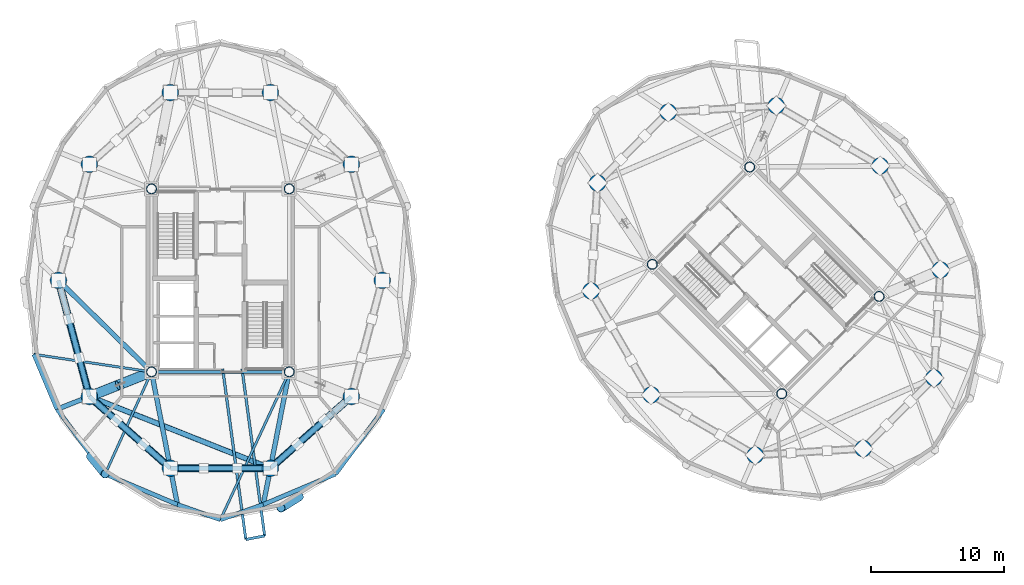
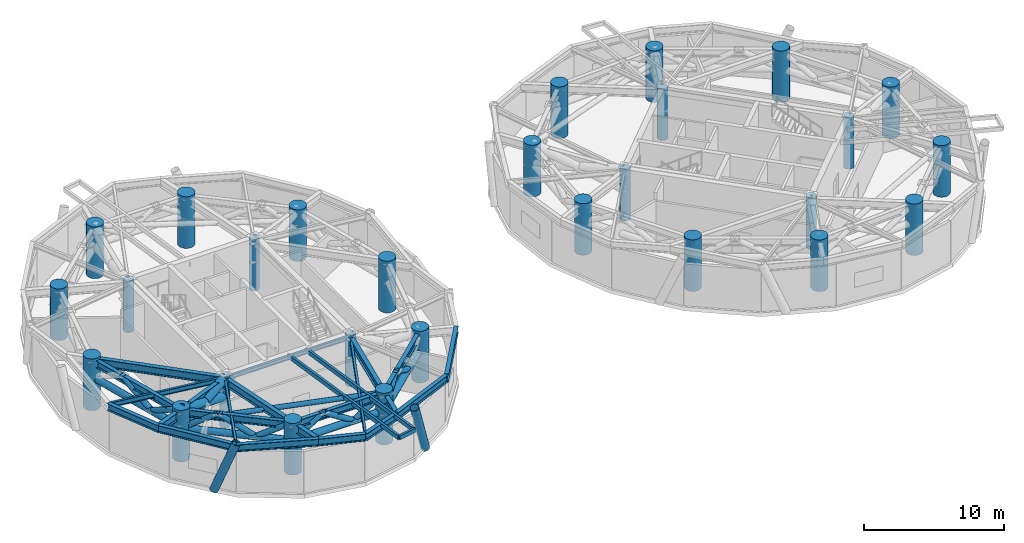
# One storey, part 1 of 16: 28 columns, 22 beams, 20 members.
"""IFC4 building model written with IfcOpenShell, lengths in metres."""

from ifc_helpers import new_model, si_unit, direction, frame, origin, origin_2d, place, context, subcontext, project, spatial, hollow_rectangle, circle, hollow_circle, i_section, extrude, material, material_profile, profile_set, type_object, element, save


model = new_model("IFC4")

# Units and contexts
model_context = context("Model", 3, precision=1e-05, world=origin(), true_north=direction((0.0, 1.0)))
body_context = subcontext(model_context, "Body", "Model", "MODEL_VIEW")
ifc_project = project(units=[si_unit("LENGTHUNIT", "METRE"), si_unit("AREAUNIT", "SQUARE_METRE"), si_unit("VOLUMEUNIT", "CUBIC_METRE"), si_unit("PLANEANGLEUNIT", "RADIAN"), si_unit("MASSUNIT", "GRAM", prefix="KILO")], contexts=[model_context])

# Site, building, storey
site_placement = place(None, origin())
site = spatial("IfcSite", under=ifc_project, at=site_placement, CompositionType="ELEMENT")
building_placement = place(site_placement, origin())
building = spatial("IfcBuilding", under=site, at=building_placement, Name="Cununo Teusaquillo Station Towers", CompositionType="ELEMENT")
storey_placement = place(building_placement, frame((0.0, 0.0, 147.10009765625)))
storey = spatial("IfcBuildingStorey", under=building, at=storey_placement, Name="L46", CompositionType="ELEMENT", Elevation=147.10009765625)

# Columns
ifc_material_1 = material(Name="Steel EN 10025-2 S355J2", Category="steel")
ifc_material_profile_1 = material_profile(ifc_material_1, hollow_circle(Radius=0.3798828125, WallThickness=0.031982421875, at=origin_2d()), Name="CHS 760x32")
ifc_profile_set_1 = profile_set([ifc_material_profile_1], Name="Steel EN 10025-2 S355J2")
column_type_1 = type_object("IfcColumnType", Name="COL-CORE-Z2", PredefinedType="COLUMN", material=ifc_profile_set_1)
for number, where, z_axis, x_axis, name in (
    (1, (11.324951171875, 17.6201171875, 0.0), (0.0, 0.0, 1.0), (1.0, 0.0, 0.0), "L46 Tower A Core Column 1"),
    (2, (11.324951171875, 31.3798828125, 0.0), (0.0, 0.0, 1.0), (1.0, 0.0, 0.0), "L46 Tower A Core Column 2"),
    (3, (21.675048828125, 17.6201171875, 0.0), (0.0, 0.0, 1.0), (1.0, 0.0, 0.0), "L46 Tower A Core Column 3"),
    (4, (21.675048828125, 31.3798828125, 0.0), (0.0, 0.0, 1.0), (1.0, 0.0, 0.0), "L46 Tower A Core Column 4"),
    (5, (58.70556640625, 15.975830078125, 0.0), (0.0, 0.0, 1.0), (0.707106781187, 0.707106781187, 0.0), "L46 Tower B Core Column 1"),
    (6, (48.975830078125, 25.70556640625, 0.0), (0.0, 0.0, 1.0), (0.707106781187, 0.707106781187, 0.0), "L46 Tower B Core Column 2"),
    (7, (66.024169921875, 23.29443359375, 0.0), (0.0, 0.0, 1.0), (0.707106781187, 0.707106781187, 0.0), "L46 Tower B Core Column 3"),
    (8, (56.29443359375, 33.024169921875, 0.0), (0.0, 0.0, 1.0), (0.707106781187, 0.707106781187, 0.0), "L46 Tower B Core Column 4"),
):
    element("IfcColumn", number, at=place(storey_placement, frame(where, z_axis=z_axis, x_axis=x_axis)), inside=storey, type_object=column_type_1, Name=name, PredefinedType="COLUMN", context=body_context, shape_type="SweptSolid", body=[
        extrude(hollow_circle(Radius=0.3798828125, WallThickness=0.031982421875, at=origin_2d()), origin(), (0.0, 0.0, 1.0), 4.5),
    ])
ifc_material_2 = material(Name="Concrete C60/75", Category="concrete")
ifc_material_profile_2 = material_profile(ifc_material_2, circle(Radius=0.625, at=origin_2d()), Name="RC-CIRC-1250")
ifc_profile_set_2 = profile_set([ifc_material_profile_2], Name="Concrete C60/75")
column_type_2 = type_object("IfcColumnType", Name="COL-MEGA-Z3", PredefinedType="USERDEFINED", material=ifc_profile_set_2)
for number, where, z_axis, x_axis, name in (
    (9, (28.672119140625, 24.5, 0.0), (0.0, 0.0, 1.0), (1.0, 0.0, 0.0), "L46 Tower A Perimeter Column V00"),
    (10, (26.347412109375, 33.228515625, 0.0), (0.0, 0.0, 1.0), (1.0, 0.0, 0.0), "L46 Tower A Perimeter Column V02"),
    (11, (20.261474609375, 38.623291015625, 0.0), (0.0, 0.0, 1.0), (1.0, 0.0, 0.0), "L46 Tower A Perimeter Column V04"),
    (12, (12.738525390625, 38.623291015625, 0.0), (0.0, 0.0, 1.0), (1.0, 0.0, 0.0), "L46 Tower A Perimeter Column V06"),
    (13, (6.652587890625, 33.228515625, 0.0), (0.0, 0.0, 1.0), (1.0, 0.0, 0.0), "L46 Tower A Perimeter Column V08"),
    (14, (4.327880859375, 24.5, 0.0), (0.0, 0.0, 1.0), (1.0, 0.0, 0.0), "L46 Tower A Perimeter Column V10"),
    (15, (6.652587890625, 15.771484375, 0.0), (0.0, 0.0, 1.0), (1.0, 0.0, 0.0), "L46 Tower A Perimeter Column V12"),
    (16, (12.738525390625, 10.376708984375, 0.0), (0.0, 0.0, 1.0), (1.0, 0.0, 0.0), "L46 Tower A Perimeter Column V14"),
    (17, (20.261474609375, 10.376708984375, 0.0), (0.0, 0.0, 1.0), (1.0, 0.0, 0.0), "L46 Tower A Perimeter Column V16"),
    (18, (26.347412109375, 15.771484375, 0.0), (0.0, 0.0, 1.0), (1.0, 0.0, 0.0), "L46 Tower A Perimeter Column V18"),
    (19, (66.10693359375, 33.10693359375, 0.0), (0.0, 0.0, 1.0), (1.0, 0.0, 0.0), "L46 Tower B Perimeter Column V00"),
    (20, (58.291015625, 37.63525390625, 0.0), (0.0, 0.0, 1.0), (1.0, 0.0, 0.0), "L46 Tower B Perimeter Column V02"),
    (21, (50.173095703125, 37.146240234375, 0.0), (0.0, 0.0, 1.0), (1.0, 0.0, 0.0), "L46 Tower B Perimeter Column V04"),
    (22, (44.853759765625, 31.826904296875, 0.0), (0.0, 0.0, 1.0), (1.0, 0.0, 0.0), "L46 Tower B Perimeter Column V06"),
    (23, (44.36474609375, 23.708984375, 0.0), (0.0, 0.0, 1.0), (1.0, 0.0, 0.0), "L46 Tower B Perimeter Column V08"),
    (24, (48.89306640625, 15.89306640625, 0.0), (0.0, 0.0, 1.0), (1.0, 0.0, 0.0), "L46 Tower B Perimeter Column V10"),
    (25, (56.708984375, 11.36474609375, 0.0), (0.0, 0.0, 1.0), (1.0, 0.0, 0.0), "L46 Tower B Perimeter Column V12"),
    (26, (64.826904296875, 11.853759765625, 0.0), (0.0, 0.0, 1.0), (1.0, 0.0, 0.0), "L46 Tower B Perimeter Column V14"),
    (27, (70.146240234375, 17.173095703125, 0.0), (0.0, 0.0, 1.0), (1.0, 0.0, 0.0), "L46 Tower B Perimeter Column V16"),
    (28, (70.63525390625, 25.291015625, 0.0), (0.0, 0.0, 1.0), (1.0, 0.0, 0.0), "L46 Tower B Perimeter Column V18"),
):
    element("IfcColumn", number, at=place(storey_placement, frame(where, z_axis=z_axis, x_axis=x_axis)), inside=storey, type_object=column_type_2, Name=name, ObjectType="MEGA COLUMN", PredefinedType="USERDEFINED", context=body_context, shape_type="SweptSolid", body=[
        extrude(circle(Radius=0.625, at=origin_2d()), origin(), (0.0, 0.0, 1.0), 4.5),
    ])

# Beams
ifc_material_3 = material(Name="Steel EN 10025-2 S355J2", Category="steel")
ifc_material_profile_3 = material_profile(ifc_material_3, hollow_rectangle(XDim=0.199951171875, YDim=0.35009765625, WallThickness=0.013916015625, at=origin_2d()), Name="RHS 350x200x14")
ifc_profile_set_3 = profile_set([ifc_material_profile_3], Name="Steel EN 10025-2 S355J2")
beam_type_1 = type_object("IfcBeamType", Name="BM-BAL-CANT", PredefinedType="BEAM", material=ifc_profile_set_3)
beam_1_placement = place(storey_placement, frame((16.674560546875, 17.85009765625, 4.10498046875), z_axis=(0.13427925042, -0.990943531644, 0.0), x_axis=(0.990943531644, 0.13427925042, 0.0)))
element("IfcBeam", 29, at=beam_1_placement, inside=storey, type_object=beam_type_1, Name="L46 Tower A Balcony Cantilever Bracket 2A", PredefinedType="BEAM", context=body_context, shape_type="SweptSolid", body=[
    extrude(hollow_rectangle(XDim=0.199951171875, YDim=0.35009765625, WallThickness=0.013916015625, at=origin_2d()), origin(), (0.0, 0.0, 1.0), 12.947021484375),
])
beam_2_placement = place(storey_placement, frame((18.127685546875, 17.85009765625, 4.10498046875), z_axis=(0.134274846508, -0.990944128392, 0.0), x_axis=(0.990944128392, 0.134274846508, 0.0)))
element("IfcBeam", 30, at=beam_2_placement, inside=storey, type_object=beam_type_1, Name="L46 Tower A Balcony Cantilever Bracket 2B", PredefinedType="BEAM", context=body_context, shape_type="SweptSolid", body=[
    extrude(hollow_rectangle(XDim=0.199951171875, YDim=0.35009765625, WallThickness=0.013916015625, at=origin_2d()), origin(), (0.0, 0.0, 1.0), 12.671142578125),
])
ifc_material_4 = material(Name="Steel ASTM A572 Grade 50", Category="steel")
ifc_material_profile_4 = material_profile(ifc_material_4, i_section(OverallWidth=0.180908203125, OverallDepth=0.4169921875, WebThickness=0.010986328125, FlangeThickness=0.018310546875, FilletRadius=0.012939453125, at=origin_2d()), Name="W16X57")
ifc_profile_set_4 = profile_set([ifc_material_profile_4], Name="Steel ASTM A572 Grade 50")
beam_type_2 = type_object("IfcBeamType", Name="BM-JOIST-1", PredefinedType="JOIST", material=ifc_profile_set_4)
beam_3_placement = place(storey_placement, frame((11.324951171875, 17.6201171875, 4.0712890625), z_axis=(-0.989018754675, 0.147790063606, 0.0), x_axis=(-0.147790063606, -0.989018754675, 0.0)))
element("IfcBeam", 31, at=beam_3_placement, inside=storey, type_object=beam_type_2, Name="L46 Tower A Radial Spandrel Joist V11", PredefinedType="JOIST", context=body_context, shape_type="SweptSolid", body=[
    extrude(i_section(OverallWidth=0.180908203125, OverallDepth=0.4169921875, WebThickness=0.010986328125, FlangeThickness=0.018310546875, FilletRadius=0.012939453125, at=origin_2d()), origin(), (0.0, 0.0, 1.0), 8.93701171875),
])
beam_4_placement = place(storey_placement, frame((11.324951171875, 17.6201171875, 4.0712890625), z_axis=(-0.413558514621, -0.910477542274, 0.0), x_axis=(0.910477542274, -0.413558514621, 0.0)))
element("IfcBeam", 32, at=beam_4_placement, inside=storey, type_object=beam_type_2, Name="L46 Tower A Radial Spandrel Joist V13", PredefinedType="JOIST", context=body_context, shape_type="SweptSolid", body=[
    extrude(i_section(OverallWidth=0.180908203125, OverallDepth=0.4169921875, WebThickness=0.010986328125, FlangeThickness=0.018310546875, FilletRadius=0.012939453125, at=origin_2d()), origin(), (0.0, 0.0, 1.0), 8.428955078125),
])
beam_5_placement = place(storey_placement, frame((21.675048828125, 17.6201171875, 4.0712890625), z_axis=(-0.422237603969, -0.906485193368, 0.0), x_axis=(0.906485193368, -0.422237603969, 0.0)))
element("IfcBeam", 33, at=beam_5_placement, inside=storey, type_object=beam_type_2, Name="L46 Tower A Radial Spandrel Joist V15", PredefinedType="JOIST", context=body_context, shape_type="SweptSolid", body=[
    extrude(i_section(OverallWidth=0.180908203125, OverallDepth=0.4169921875, WebThickness=0.010986328125, FlangeThickness=0.018310546875, FilletRadius=0.012939453125, at=origin_2d()), origin(), (0.0, 0.0, 1.0), 12.25634765625),
])
ifc_material_5 = material(Name="Steel ASTM A572 Grade 50", Category="steel")
ifc_material_profile_5 = material_profile(ifc_material_5, i_section(OverallWidth=0.2041015625, OverallDepth=0.35009765625, WebThickness=0.008544921875, FlangeThickness=0.01513671875, FilletRadius=0.011962890625, at=origin_2d()), Name="W14X48")
ifc_profile_set_5 = profile_set([ifc_material_profile_5], Name="Steel ASTM A572 Grade 50")
beam_type_3 = type_object("IfcBeamType", Name="BM-LINTEL-1", PredefinedType="LINTEL", material=ifc_profile_set_5)
beam_6_placement = place(storey_placement, frame((11.324951171875, 17.6201171875, 4.10498046875), z_axis=(1.0, 0.0, 0.0), x_axis=(0.0, 1.0, 0.0)))
element("IfcBeam", 34, at=beam_6_placement, inside=storey, type_object=beam_type_3, Name="L46 Tower A Core Beam 3", PredefinedType="LINTEL", context=body_context, shape_type="SweptSolid", body=[
    extrude(i_section(OverallWidth=0.2041015625, OverallDepth=0.35009765625, WebThickness=0.008544921875, FlangeThickness=0.01513671875, FilletRadius=0.011962890625, at=origin_2d()), origin(), (0.0, 0.0, 1.0), 10.35009765625),
])
ifc_material_6 = material(Name="Steel ASTM A572 Grade 50", Category="steel")
ifc_material_profile_6 = material_profile(ifc_material_6, i_section(OverallWidth=0.35498046875, OverallDepth=0.696044921875, WebThickness=0.015380859375, FlangeThickness=0.02490234375, FilletRadius=0.01806640625, at=origin_2d()), Name="W27X146")
ifc_profile_set_6 = profile_set([ifc_material_profile_6], Name="Steel ASTM A572 Grade 50")
beam_type_4 = type_object("IfcBeamType", Name="BM-PLNT-G1", PredefinedType="BEAM", material=ifc_profile_set_6)
beam_7_placement = place(storey_placement, frame((11.324951171875, 17.6201171875, 3.931884765625), z_axis=(-0.713052701438, 0.701110437073, 0.0), x_axis=(-0.701110437073, -0.713052701438, 0.0)))
element("IfcBeam", 35, at=beam_7_placement, inside=storey, type_object=beam_type_4, Name="L46 Tower A Radial Girder 06A", PredefinedType="BEAM", context=body_context, shape_type="SweptSolid", body=[
    extrude(i_section(OverallWidth=0.35498046875, OverallDepth=0.696044921875, WebThickness=0.015380859375, FlangeThickness=0.02490234375, FilletRadius=0.01806640625, at=origin_2d()), origin(), (0.0, 0.0, 1.0), 9.812744140625),
])
beam_8_placement = place(storey_placement, frame((11.324951171875, 17.6201171875, 3.931884765625), z_axis=(-0.929862250459, -0.367907862341, 0.0), x_axis=(0.367907862341, -0.929862250459, 0.0)))
element("IfcBeam", 36, at=beam_8_placement, inside=storey, type_object=beam_type_4, Name="L46 Tower A Continuous Overhanging Radial Girder 07", PredefinedType="BEAM", context=body_context, shape_type="SweptSolid", body=[
    extrude(i_section(OverallWidth=0.35498046875, OverallDepth=0.696044921875, WebThickness=0.015380859375, FlangeThickness=0.02490234375, FilletRadius=0.01806640625, at=origin_2d()), origin(), (0.0, 0.0, 1.0), 7.632080078125),
])
for number, where, z_axis, x_axis, name in (
    (37, (11.324951171875, 17.6201171875, 3.931884765625), (0.191552706487, -0.981482328235, 0.0), (0.981482328235, 0.191552706487, 0.0), "L46 Tower A Continuous Overhanging Radial Girder 08"),
    (38, (21.675048828125, 17.6201171875, 3.931884765625), (-0.191552706487, -0.981482328235, 0.0), (0.981482328235, -0.191552706487, 0.0), "L46 Tower A Continuous Overhanging Radial Girder 09"),
):
    element("IfcBeam", number, at=place(storey_placement, frame(where, z_axis=z_axis, x_axis=x_axis)), inside=storey, type_object=beam_type_4, Name=name, PredefinedType="BEAM", context=body_context, shape_type="SweptSolid", body=[
        extrude(i_section(OverallWidth=0.35498046875, OverallDepth=0.696044921875, WebThickness=0.015380859375, FlangeThickness=0.02490234375, FilletRadius=0.01806640625, at=origin_2d()), origin(), (0.0, 0.0, 1.0), 10.159423828125),
    ])
ifc_material_7 = material(Name="Steel ASTM A572 Grade 50", Category="steel")
ifc_material_profile_7 = material_profile(ifc_material_7, i_section(OverallWidth=0.324951171875, OverallDepth=0.615966796875, WebThickness=0.013916015625, FlangeThickness=0.021484375, FilletRadius=0.01611328125, at=origin_2d()), Name="W24X117")
ifc_profile_set_7 = profile_set([ifc_material_profile_7], Name="Steel ASTM A572 Grade 50")
beam_type_5 = type_object("IfcBeamType", Name="BM-PLNT-G2", PredefinedType="BEAM", material=ifc_profile_set_7)
beam_9_placement = place(storey_placement, frame((4.327880859375, 24.5, 3.971923828125), z_axis=(0.257363196347, -0.966314744359, 0.0), x_axis=(0.966314744359, 0.257363196347, 0.0)))
element("IfcBeam", 39, at=beam_9_placement, inside=storey, type_object=beam_type_5, Name="L46 Tower A Structural Column Ring Girder 06", PredefinedType="BEAM", context=body_context, shape_type="SweptSolid", body=[
    extrude(i_section(OverallWidth=0.324951171875, OverallDepth=0.615966796875, WebThickness=0.013916015625, FlangeThickness=0.021484375, FilletRadius=0.01611328125, at=origin_2d()), origin(), (0.0, 0.0, 1.0), 9.03271484375),
])
beam_10_placement = place(storey_placement, frame((6.652587890625, 15.771484375, 3.971923828125), z_axis=(0.74832120039, -0.66333655187, 0.0), x_axis=(0.66333655187, 0.74832120039, 0.0)))
element("IfcBeam", 40, at=beam_10_placement, inside=storey, type_object=beam_type_5, Name="L46 Tower A Structural Column Ring Girder 07", PredefinedType="BEAM", context=body_context, shape_type="SweptSolid", body=[
    extrude(i_section(OverallWidth=0.324951171875, OverallDepth=0.615966796875, WebThickness=0.013916015625, FlangeThickness=0.021484375, FilletRadius=0.01611328125, at=origin_2d()), origin(), (0.0, 0.0, 1.0), 8.1328125),
])
beam_11_placement = place(storey_placement, frame((12.738525390625, 10.376708984375, 3.971923828125), z_axis=(1.0, 0.0, 0.0), x_axis=(0.0, 1.0, 0.0)))
element("IfcBeam", 41, at=beam_11_placement, inside=storey, type_object=beam_type_5, Name="L46 Tower A Structural Column Ring Girder 08", PredefinedType="BEAM", context=body_context, shape_type="SweptSolid", body=[
    extrude(i_section(OverallWidth=0.324951171875, OverallDepth=0.615966796875, WebThickness=0.013916015625, FlangeThickness=0.021484375, FilletRadius=0.01611328125, at=origin_2d()), origin(), (0.0, 0.0, 1.0), 7.52294921875),
])
beam_12_placement = place(storey_placement, frame((20.261474609375, 10.376708984375, 3.971923828125), z_axis=(0.74832120039, 0.66333655187, 0.0), x_axis=(-0.66333655187, 0.74832120039, 0.0)))
element("IfcBeam", 42, at=beam_12_placement, inside=storey, type_object=beam_type_5, Name="L46 Tower A Structural Column Ring Girder 09", PredefinedType="BEAM", context=body_context, shape_type="SweptSolid", body=[
    extrude(i_section(OverallWidth=0.324951171875, OverallDepth=0.615966796875, WebThickness=0.013916015625, FlangeThickness=0.021484375, FilletRadius=0.01611328125, at=origin_2d()), origin(), (0.0, 0.0, 1.0), 8.1328125),
])
beam_13_placement = place(storey_placement, frame((2.486083984375, 18.94091796875, 3.971923828125), z_axis=(0.388777827816, -0.921331536744, 0.0), x_axis=(0.921331536744, 0.388777827816, 0.0)))
element("IfcBeam", 43, at=beam_13_placement, inside=storey, type_object=beam_type_5, Name="L46 Tower A Spandrel Ring Beam 12", PredefinedType="BEAM", context=body_context, shape_type="SweptSolid", body=[
    extrude(i_section(OverallWidth=0.324951171875, OverallDepth=0.615966796875, WebThickness=0.013916015625, FlangeThickness=0.021484375, FilletRadius=0.01611328125, at=origin_2d()), origin(), (0.0, 0.0, 1.0), 4.481201171875),
])
beam_14_placement = place(storey_placement, frame((4.228271484375, 14.812255859375, 3.971923828125), z_axis=(0.595872908853, -0.803078748626, 0.0), x_axis=(0.803078748626, 0.595872908853, 0.0)))
element("IfcBeam", 44, at=beam_14_placement, inside=storey, type_object=beam_type_5, Name="L46 Tower A Spandrel Ring Beam 13", PredefinedType="BEAM", context=body_context, shape_type="SweptSolid", body=[
    extrude(i_section(OverallWidth=0.324951171875, OverallDepth=0.615966796875, WebThickness=0.013916015625, FlangeThickness=0.021484375, FilletRadius=0.01611328125, at=origin_2d()), origin(), (0.0, 0.0, 1.0), 6.059814453125),
])
beam_15_placement = place(storey_placement, frame((7.839111328125, 9.94580078125, 3.971923828125), z_axis=(0.921042081118, -0.38946307246, 0.0), x_axis=(0.38946307246, 0.921042081118, 0.0)))
element("IfcBeam", 45, at=beam_15_placement, inside=storey, type_object=beam_type_5, Name="L46 Tower A Spandrel Ring Beam 14", PredefinedType="BEAM", context=body_context, shape_type="SweptSolid", body=[
    extrude(i_section(OverallWidth=0.324951171875, OverallDepth=0.615966796875, WebThickness=0.013916015625, FlangeThickness=0.021484375, FilletRadius=0.01611328125, at=origin_2d()), origin(), (0.0, 0.0, 1.0), 5.8974609375),
])
for number, where, z_axis, x_axis, name in (
    (46, (13.27099609375, 7.64892578125, 3.971923828125), (0.943057449198, -0.332629895698, 0.0), (0.332629895698, 0.943057449198, 0.0), "L46 Tower A Spandrel Ring Beam 15"),
    (47, (16.5, 6.510009765625, 3.971923828125), (0.943057449198, 0.332629895698, 0.0), (-0.332629895698, 0.943057449198, 0.0), "L46 Tower A Spandrel Ring Beam 16"),
):
    element("IfcBeam", number, at=place(storey_placement, frame(where, z_axis=z_axis, x_axis=x_axis)), inside=storey, type_object=beam_type_5, Name=name, PredefinedType="BEAM", context=body_context, shape_type="SweptSolid", body=[
        extrude(i_section(OverallWidth=0.324951171875, OverallDepth=0.615966796875, WebThickness=0.013916015625, FlangeThickness=0.021484375, FilletRadius=0.01611328125, at=origin_2d()), origin(), (0.0, 0.0, 1.0), 3.424072265625),
    ])
beam_16_placement = place(storey_placement, frame((19.72900390625, 7.64892578125, 3.971923828125), z_axis=(0.921042081118, 0.38946307246, 0.0), x_axis=(-0.38946307246, 0.921042081118, 0.0)))
element("IfcBeam", 48, at=beam_16_placement, inside=storey, type_object=beam_type_5, Name="L46 Tower A Spandrel Ring Beam 17", PredefinedType="BEAM", context=body_context, shape_type="SweptSolid", body=[
    extrude(i_section(OverallWidth=0.324951171875, OverallDepth=0.615966796875, WebThickness=0.013916015625, FlangeThickness=0.021484375, FilletRadius=0.01611328125, at=origin_2d()), origin(), (0.0, 0.0, 1.0), 5.8974609375),
])
beam_17_placement = place(storey_placement, frame((25.160888671875, 9.94580078125, 3.971923828125), z_axis=(0.595872908853, 0.803078748626, 0.0), x_axis=(-0.803078748626, 0.595872908853, 0.0)))
element("IfcBeam", 49, at=beam_17_placement, inside=storey, type_object=beam_type_5, Name="L46 Tower A Spandrel Ring Beam 18", PredefinedType="BEAM", context=body_context, shape_type="SweptSolid", body=[
    extrude(i_section(OverallWidth=0.324951171875, OverallDepth=0.615966796875, WebThickness=0.013916015625, FlangeThickness=0.021484375, FilletRadius=0.01611328125, at=origin_2d()), origin(), (0.0, 0.0, 1.0), 6.059814453125),
])
ifc_material_8 = material(Name="Steel EN 10025-2 S355J2", Category="steel")
ifc_material_profile_8 = material_profile(ifc_material_8, hollow_rectangle(XDim=0.199951171875, YDim=0.35009765625, WallThickness=0.013916015625, at=origin_2d()), Name="RHS 350x200x14")
ifc_profile_set_8 = profile_set([ifc_material_profile_8], Name="Steel EN 10025-2 S355J2")
beam_type_6 = type_object("IfcBeamType", Name="BM-STAIR-TRIM", PredefinedType="BEAM", material=ifc_profile_set_8)
beam_18_placement = place(storey_placement, frame((18.4130859375, 5.020263671875, 4.114990234375), z_axis=(0.981861262275, 0.189600795474, 0.0), x_axis=(-0.189600795474, 0.981861262275, 0.0)))
element("IfcBeam", 50, at=beam_18_placement, inside=storey, type_object=beam_type_6, Name="L46 Tower A Balcony Edge Trimmer Beam 2", PredefinedType="BEAM", context=body_context, shape_type="SweptSolid", body=[
    extrude(hollow_rectangle(XDim=0.199951171875, YDim=0.35009765625, WallThickness=0.013916015625, at=origin_2d()), origin(), (0.0, 0.0, 1.0), 1.442138671875),
])

# Members
ifc_material_9 = material(Name="Steel EN 10025-2 S355J2", Category="steel")
ifc_material_profile_9 = material_profile(ifc_material_9, hollow_circle(Radius=0.279541015625, WallThickness=0.02001953125, at=origin_2d()), Name="CHS 559x20")
ifc_profile_set_9 = profile_set([ifc_material_profile_9], Name="Steel EN 10025-2 S355J2")
member_type_1 = type_object("IfcMemberType", Name="MBR-BELT-CH", PredefinedType="CHORD", material=ifc_profile_set_9)
member_1_placement = place(storey_placement, frame((4.327880859375, 24.5, 2.579833984375), z_axis=(0.257363196347, -0.966314744359, 0.0), x_axis=(0.966314744359, 0.257363196347, 0.0)))
element("IfcMember", 51, at=member_1_placement, inside=storey, type_object=member_type_1, Name="L46 Tower A Belt Truss Lower Chord 06", PredefinedType="CHORD", context=body_context, shape_type="SweptSolid", body=[
    extrude(hollow_circle(Radius=0.279541015625, WallThickness=0.02001953125, at=origin_2d()), origin(), (0.0, 0.0, 1.0), 9.03271484375),
])
member_2_placement = place(storey_placement, frame((6.652587890625, 15.771484375, 2.579833984375), z_axis=(0.74832120039, -0.66333655187, 0.0), x_axis=(0.66333655187, 0.74832120039, 0.0)))
element("IfcMember", 52, at=member_2_placement, inside=storey, type_object=member_type_1, Name="L46 Tower A Belt Truss Lower Chord 07", PredefinedType="CHORD", context=body_context, shape_type="SweptSolid", body=[
    extrude(hollow_circle(Radius=0.279541015625, WallThickness=0.02001953125, at=origin_2d()), origin(), (0.0, 0.0, 1.0), 8.1328125),
])
member_3_placement = place(storey_placement, frame((12.738525390625, 10.376708984375, 2.579833984375), z_axis=(1.0, 0.0, 0.0), x_axis=(0.0, 1.0, 0.0)))
element("IfcMember", 53, at=member_3_placement, inside=storey, type_object=member_type_1, Name="L46 Tower A Belt Truss Lower Chord 08", PredefinedType="CHORD", context=body_context, shape_type="SweptSolid", body=[
    extrude(hollow_circle(Radius=0.279541015625, WallThickness=0.02001953125, at=origin_2d()), origin(), (0.0, 0.0, 1.0), 7.52294921875),
])
member_4_placement = place(storey_placement, frame((20.261474609375, 10.376708984375, 2.579833984375), z_axis=(0.74832120039, 0.66333655187, 0.0), x_axis=(-0.66333655187, 0.74832120039, 0.0)))
element("IfcMember", 54, at=member_4_placement, inside=storey, type_object=member_type_1, Name="L46 Tower A Belt Truss Lower Chord 09", PredefinedType="CHORD", context=body_context, shape_type="SweptSolid", body=[
    extrude(hollow_circle(Radius=0.279541015625, WallThickness=0.02001953125, at=origin_2d()), origin(), (0.0, 0.0, 1.0), 8.1328125),
])
ifc_material_10 = material(Name="Steel EN 10025-2 S355J2", Category="steel")
ifc_material_profile_10 = material_profile(ifc_material_10, hollow_circle(Radius=0.228515625, WallThickness=0.01611328125, at=origin_2d()), Name="CHS 457x16")
ifc_profile_set_10 = profile_set([ifc_material_profile_10], Name="Steel EN 10025-2 S355J2")
member_type_2 = type_object("IfcMemberType", Name="MBR-BELT-WB", PredefinedType="BRACE", material=ifc_profile_set_10)
member_5_placement = place(storey_placement, frame((5.102783203125, 21.590576171875, 4.199951171875), z_axis=(0.226627873718, -0.850961247311, -0.47381933522), x_axis=(0.966318324558, 0.257349753494, 0.0)))
element("IfcMember", 55, at=member_5_placement, inside=storey, type_object=member_type_2, Name="L46 Tower A Belt Truss Warren Brace 06B", PredefinedType="BRACE", context=body_context, shape_type="SweptSolid", body=[
    extrude(hollow_circle(Radius=0.228515625, WallThickness=0.01611328125, at=origin_2d()), origin(), (0.0, 0.0, 1.0), 3.419189453125),
])
member_6_placement = place(storey_placement, frame((5.877685546875, 18.680908203125, 2.579833984375), z_axis=(0.226641644254, -0.850941548387, 0.473848125795), x_axis=(0.96631295405, 0.257369918281, 0.0)))
element("IfcMember", 56, at=member_6_placement, inside=storey, type_object=member_type_2, Name="L46 Tower A Belt Truss Warren Brace 06C", PredefinedType="BRACE", context=body_context, shape_type="SweptSolid", body=[
    extrude(hollow_circle(Radius=0.228515625, WallThickness=0.01611328125, at=origin_2d()), origin(), (0.0, 0.0, 1.0), 3.4189453125),
])
member_7_placement = place(storey_placement, frame((6.652587890625, 15.771484375, 2.579833984375), z_axis=(0.642373252404, -0.569400887751, 0.512970987118), x_axis=(0.663323560468, 0.748332716195, 0.0)))
element("IfcMember", 57, at=member_7_placement, inside=storey, type_object=member_type_2, Name="L46 Tower A Belt Truss Warren Brace 07A", PredefinedType="BRACE", context=body_context, shape_type="SweptSolid", body=[
    extrude(hollow_circle(Radius=0.228515625, WallThickness=0.01611328125, at=origin_2d()), origin(), (0.0, 0.0, 1.0), 3.158203125),
])
member_8_placement = place(storey_placement, frame((8.681396484375, 13.97314453125, 4.199951171875), z_axis=(0.642356120699, -0.56937692008, -0.513019041636), x_axis=(0.663317831046, 0.748337794727, 0.0)))
element("IfcMember", 58, at=member_8_placement, inside=storey, type_object=member_type_2, Name="L46 Tower A Belt Truss Warren Brace 07B", PredefinedType="BRACE", context=body_context, shape_type="SweptSolid", body=[
    extrude(hollow_circle(Radius=0.228515625, WallThickness=0.01611328125, at=origin_2d()), origin(), (0.0, 0.0, 1.0), 3.157958984375),
])
member_9_placement = place(storey_placement, frame((10.7099609375, 12.175048828125, 2.579833984375), z_axis=(0.642327845632, -0.569429162465, 0.512996459696), x_axis=(0.66336826295, 0.748293089445, 0.0)))
element("IfcMember", 59, at=member_9_placement, inside=storey, type_object=member_type_2, Name="L46 Tower A Belt Truss Warren Brace 07C", PredefinedType="BRACE", context=body_context, shape_type="SweptSolid", body=[
    extrude(hollow_circle(Radius=0.228515625, WallThickness=0.01611328125, at=origin_2d()), origin(), (0.0, 0.0, 1.0), 3.158203125),
])
member_10_placement = place(storey_placement, frame((12.738525390625, 10.376708984375, 2.579833984375), z_axis=(0.83994075453, 0.0, 0.54267810798), x_axis=(0.0, 1.0, 0.0)))
element("IfcMember", 60, at=member_10_placement, inside=storey, type_object=member_type_2, Name="L46 Tower A Belt Truss Warren Brace 08A", PredefinedType="BRACE", context=body_context, shape_type="SweptSolid", body=[
    extrude(hollow_circle(Radius=0.228515625, WallThickness=0.01611328125, at=origin_2d()), origin(), (0.0, 0.0, 1.0), 2.9853515625),
])
member_11_placement = place(storey_placement, frame((15.24609375, 10.376708984375, 4.199951171875), z_axis=(0.8399648356, 0.0, -0.542640834213), x_axis=(0.0, 1.0, 0.0)))
element("IfcMember", 61, at=member_11_placement, inside=storey, type_object=member_type_2, Name="L46 Tower A Belt Truss Warren Brace 08B", PredefinedType="BRACE", context=body_context, shape_type="SweptSolid", body=[
    extrude(hollow_circle(Radius=0.228515625, WallThickness=0.01611328125, at=origin_2d()), origin(), (0.0, 0.0, 1.0), 2.985595703125),
])
member_12_placement = place(storey_placement, frame((17.75390625, 10.376708984375, 2.579833984375), z_axis=(0.83994075453, 0.0, 0.54267810798), x_axis=(0.0, 1.0, 0.0)))
element("IfcMember", 62, at=member_12_placement, inside=storey, type_object=member_type_2, Name="L46 Tower A Belt Truss Warren Brace 08C", PredefinedType="BRACE", context=body_context, shape_type="SweptSolid", body=[
    extrude(hollow_circle(Radius=0.228515625, WallThickness=0.01611328125, at=origin_2d()), origin(), (0.0, 0.0, 1.0), 2.9853515625),
])
member_13_placement = place(storey_placement, frame((20.261474609375, 10.376708984375, 2.579833984375), z_axis=(0.642327845632, 0.569429162465, 0.512996459696), x_axis=(-0.66336826295, 0.748293089445, 0.0)))
element("IfcMember", 63, at=member_13_placement, inside=storey, type_object=member_type_2, Name="L46 Tower A Belt Truss Warren Brace 09A", PredefinedType="BRACE", context=body_context, shape_type="SweptSolid", body=[
    extrude(hollow_circle(Radius=0.228515625, WallThickness=0.01611328125, at=origin_2d()), origin(), (0.0, 0.0, 1.0), 3.158203125),
])
member_14_placement = place(storey_placement, frame((22.2900390625, 12.175048828125, 4.199951171875), z_axis=(0.642356120699, 0.56937692008, -0.513019041636), x_axis=(-0.663317831046, 0.748337794727, 0.0)))
element("IfcMember", 64, at=member_14_placement, inside=storey, type_object=member_type_2, Name="L46 Tower A Belt Truss Warren Brace 09B", PredefinedType="BRACE", context=body_context, shape_type="SweptSolid", body=[
    extrude(hollow_circle(Radius=0.228515625, WallThickness=0.01611328125, at=origin_2d()), origin(), (0.0, 0.0, 1.0), 3.157958984375),
])
ifc_material_11 = material(Name="Steel EN 10025-2 S355J2", Category="steel")
ifc_material_profile_11 = material_profile(ifc_material_11, hollow_circle(Radius=0.202880859375, WallThickness=0.01611328125, at=origin_2d()), Name="CHS 406x16")
ifc_profile_set_11 = profile_set([ifc_material_profile_11], Name="Steel EN 10025-2 S355J2")
member_type_3 = type_object("IfcMemberType", Name="MBR-BRG-WB", PredefinedType="BRACE", material=ifc_profile_set_11)
member_15_placement = place(storey_placement, frame((6.652587890625, 15.771484375, 3.14990234375), z_axis=(0.927416562734, -0.367642420199, 0.068830008253), x_axis=(0.368516392664, 0.929621249939, 0.0)))
element("IfcMember", 65, at=member_15_placement, inside=storey, type_object=member_type_3, Name="L46 Tower A Bridge Zone Tie Brace 2", PredefinedType="BRACE", context=body_context, shape_type="SweptSolid", body=[
    extrude(hollow_circle(Radius=0.202880859375, WallThickness=0.01611328125, at=origin_2d()), origin(), (0.0, 0.0, 1.0), 14.674072265625),
])
ifc_material_12 = material(Name="Steel EN 10025-2 S355J2", Category="steel")
ifc_material_profile_12 = material_profile(ifc_material_12, hollow_circle(Radius=0.330078125, WallThickness=0.02490234375, at=origin_2d()), Name="CHS 660x25")
ifc_profile_set_12 = profile_set([ifc_material_profile_12], Name="Steel EN 10025-2 S355J2")
member_type_4 = type_object("IfcMemberType", Name="MBR-DIAG-Z2", PredefinedType="BRACE", material=ifc_profile_set_12)
member_16_placement = place(storey_placement, frame((6.75244140625, 11.2724609375, -0.14013671875), z_axis=(0.225651925772, -0.275486983744, 0.934445359656), x_axis=(0.773608318417, 0.633664082678, 0.0)))
element("IfcMember", 66, at=member_16_placement, inside=storey, type_object=member_type_4, Name="L46 Tower A Folded-Zigzag Diagrid Tube C12", PredefinedType="BRACE", context=body_context, shape_type="SweptSolid", body=[
    extrude(hollow_circle(Radius=0.330078125, WallThickness=0.02490234375, at=origin_2d()), origin(), (0.0, 0.0, 1.0), 4.815673828125),
])
member_17_placement = place(storey_placement, frame((22.422607421875, 8.2421875, -0.14013671875), z_axis=(-0.286420308826, -0.178195516671, 0.941387149121), x_axis=(0.528255801217, -0.849085277508, 0.0)))
element("IfcMember", 67, at=member_17_placement, inside=storey, type_object=member_type_4, Name="L46 Tower A Folded-Zigzag Diagrid Tube C16", PredefinedType="BRACE", context=body_context, shape_type="SweptSolid", body=[
    extrude(hollow_circle(Radius=0.330078125, WallThickness=0.02490234375, at=origin_2d()), origin(), (0.0, 0.0, 1.0), 4.7802734375),
])
ifc_material_13 = material(Name="Steel EN 10025-2 S355J2", Category="steel")
ifc_material_profile_13 = material_profile(ifc_material_13, hollow_circle(Radius=0.3798828125, WallThickness=0.031982421875, at=origin_2d()), Name="CHS 760x32")
ifc_profile_set_13 = profile_set([ifc_material_profile_13], Name="Steel EN 10025-2 S355J2")
member_type_5 = type_object("IfcMemberType", Name="MBR-OUTR-1", PredefinedType="STRUT", material=ifc_profile_set_13)
member_18_placement = place(storey_placement, frame((11.324951171875, 17.6201171875, 2.579833984375), z_axis=(-0.884999803428, -0.350152498253, 0.306868988168), x_axis=(0.367903176814, -0.929864104313, 0.0)))
element("IfcMember", 68, at=member_18_placement, inside=storey, type_object=member_type_5, Name="L46 Tower A Outrigger Continuous Diagonal 3A", PredefinedType="STRUT", context=body_context, shape_type="SweptSolid", body=[
    extrude(hollow_circle(Radius=0.3798828125, WallThickness=0.031982421875, at=origin_2d()), origin(), (0.0, 0.0, 1.0), 5.279541015625),
])
member_19_placement = place(storey_placement, frame((11.324951171875, 17.6201171875, 4.199951171875), z_axis=(-0.885002112773, -0.350175568705, -0.306836000934), x_axis=(0.367923305466, -0.929856140107, 0.0)))
element("IfcMember", 69, at=member_19_placement, inside=storey, type_object=member_type_5, Name="L46 Tower A Outrigger Split Upper Strut 3B1", PredefinedType="STRUT", context=body_context, shape_type="SweptSolid", body=[
    extrude(hollow_circle(Radius=0.3798828125, WallThickness=0.031982421875, at=origin_2d()), origin(), (0.0, 0.0, 1.0), 2.399658203125),
])
member_20_placement = place(storey_placement, frame((8.7763671875, 16.61181640625, 3.31640625), z_axis=(-0.884974483004, -0.350164636223, -0.306928154411), x_axis=(0.367923305466, -0.929856140107, 0.0)))
element("IfcMember", 70, at=member_20_placement, inside=storey, type_object=member_type_5, Name="L46 Tower A Outrigger Split Lower Strut 3B2", PredefinedType="STRUT", context=body_context, shape_type="SweptSolid", body=[
    extrude(hollow_circle(Radius=0.3798828125, WallThickness=0.031982421875, at=origin_2d()), origin(), (0.0, 0.0, 1.0), 2.39990234375),
])

save(model, "model.ifc")
